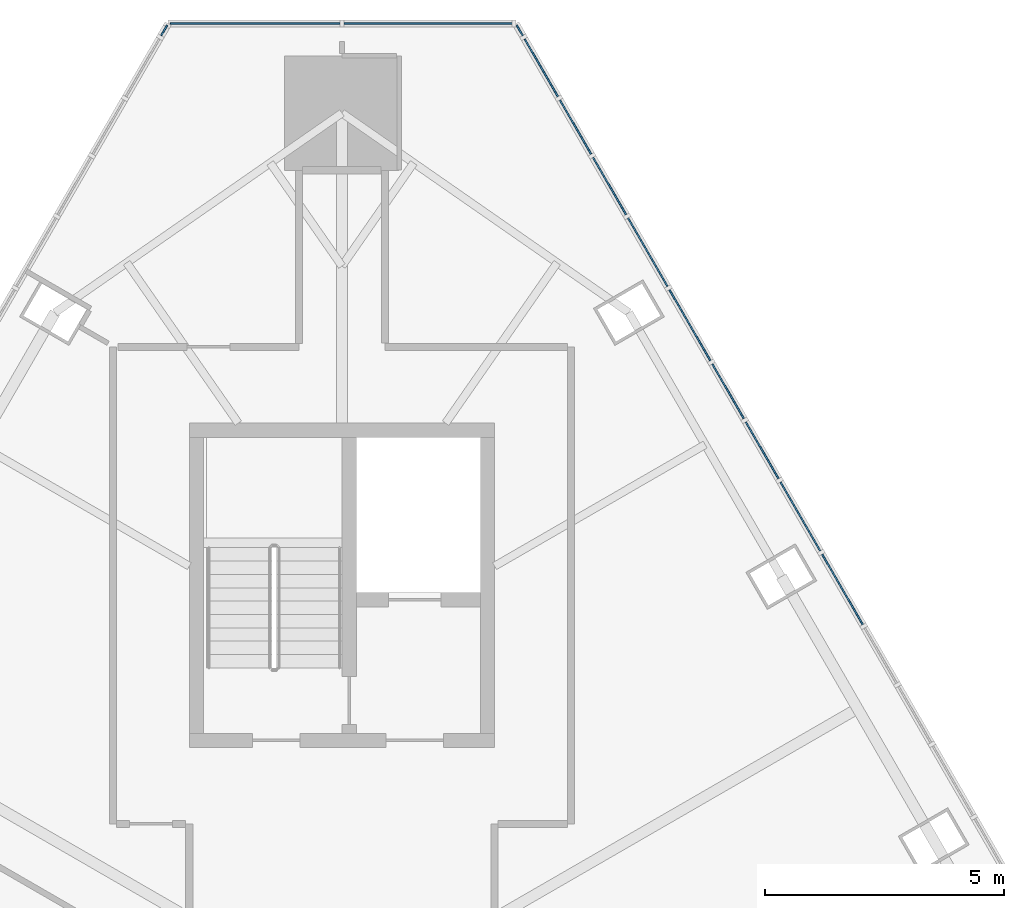
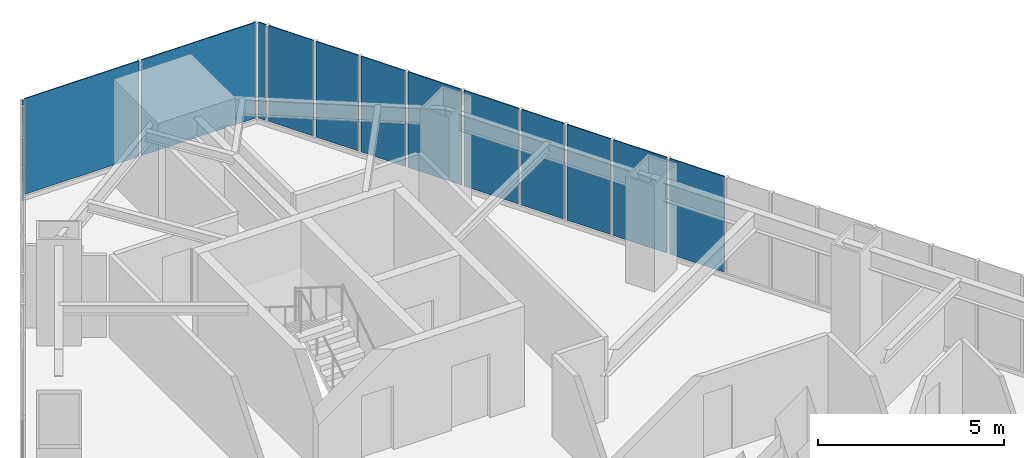
# One storey, part 15 of 21: 13 plates, 3 elements without a shape of their own.
"""IFC4 building model written with IfcOpenShell, lengths in metres."""

from ifc_helpers import new_model, si_unit, direction, frame, origin, place, context, subcontext, project, spatial, polyline, outline, extrude, material, layer, layer_set, type_object, element, aggregate, save


model = new_model("IFC4")

# Units and contexts
model_context = context("Model", 3, precision=1e-05, world=origin(), true_north=direction((0.0, 1.0)))
body_context = subcontext(model_context, "Body", "Model", "MODEL_VIEW")
ifc_project = project(units=[si_unit("LENGTHUNIT", "METRE"), si_unit("AREAUNIT", "SQUARE_METRE"), si_unit("VOLUMEUNIT", "CUBIC_METRE"), si_unit("PLANEANGLEUNIT", "RADIAN"), si_unit("MASSUNIT", "GRAM", prefix="KILO")], contexts=[model_context])

# Site, building, storey
site_placement = place(None, origin())
site = spatial("IfcSite", under=ifc_project, at=site_placement, CompositionType="ELEMENT")
building_placement = place(site_placement, origin())
building = spatial("IfcBuilding", under=site, at=building_placement, Name="Firuza Gate Tower and Library", CompositionType="ELEMENT")
storey_placement = place(building_placement, frame((0.0, 0.0, 284.60009765625)))
storey = spatial("IfcBuildingStorey", under=building, at=storey_placement, Name="L68", CompositionType="ELEMENT", Elevation=284.60009765625)

# Curtain wall, plates
ifc_material_1 = material(Name="Aluminium 6063-T6", Category="aluminium")
ifc_layer_1 = layer(ifc_material_1, 0.14990234375)
ifc_layer_set_1 = layer_set([ifc_layer_1], Name="Corner curtain wall, chamfers")
curtain_wall_type_1 = type_object("IfcCurtainWallType", Name="Corner curtain wall, chamfers", PredefinedType="NOTDEFINED", material=ifc_layer_set_1)
placement = place(storey_placement, origin())
curtain_wall_1 = element("IfcCurtainWall", 1, at=placement, inside=storey, type_object=curtain_wall_type_1, Name="CW4 L68 N corner", PredefinedType="NOTDEFINED")
ifc_material_2 = material(Name="Fritted glass", Category="glass")
ifc_layer_2 = layer(ifc_material_2, 0.030029296875)
ifc_layer_set_2 = layer_set([ifc_layer_2], Name="Fritted glass unit, corners")
plate_type_1 = type_object("IfcPlateType", Name="Fritted glass unit, corners", PredefinedType="CURTAIN_PANEL", material=ifc_layer_set_2)
plate_1_placement = place(storey_placement, frame((78.603271484375, 102.99072265625, 0.14990234375), z_axis=(0.0, 1.0, 0.0), x_axis=(-1.0, 0.0, 0.0)))
plate_1 = element("IfcPlate", 2, at=plate_1_placement, type_object=plate_type_1, Name="Glass unit", PredefinedType="CURTAIN_PANEL", context=body_context, shape_type="SweptSolid", body=[
    extrude(outline(polyline([(0.0, 0.0), (3.563232421875, 0.0), (3.563232421875, 3.14990234375), (0.0, 3.14990234375), (0.0, 0.0)])), origin(), (0.0, 0.0, -1.0), 0.030029296875),
])
plate_2_placement = place(storey_placement, frame((74.9599609375, 102.99072265625, 0.14990234375), z_axis=(0.0, 1.0, 0.0), x_axis=(-1.0, 0.0, 0.0)))
plate_2 = element("IfcPlate", 3, at=plate_2_placement, type_object=plate_type_1, Name="Glass unit", PredefinedType="CURTAIN_PANEL", context=body_context, shape_type="SweptSolid", body=[
    extrude(outline(polyline([(0.0, 0.0), (3.563232421875, 0.0), (3.563232421875, 3.14990234375), (0.0, 3.14990234375), (0.0, 0.0)])), origin(), (0.0, 0.0, -1.0), 0.030029296875),
])
aggregate(curtain_wall_1, [plate_1, plate_2])

ifc_material_3 = material(Name="Aluminium 6063-T6", Category="aluminium")
ifc_layer_3 = layer(ifc_material_3, 0.14990234375)
ifc_layer_set_3 = layer_set([ifc_layer_3], Name="Unitised curtain wall, residences")
curtain_wall_type_2 = type_object("IfcCurtainWallType", Name="Unitised curtain wall, residences", PredefinedType="NOTDEFINED", material=ifc_layer_set_3)
curtain_wall_2 = element("IfcCurtainWall", 4, at=placement, inside=storey, type_object=curtain_wall_type_2, Name="CW3 L68 E face", PredefinedType="NOTDEFINED")
ifc_material_4 = material(Name="Fritted glass", Category="glass")
ifc_layer_4 = layer(ifc_material_4, 0.030029296875)
ifc_layer_set_4 = layer_set([ifc_layer_4], Name="Fritted glass unit, residences")
plate_type_2 = type_object("IfcPlateType", Name="Fritted glass unit, residences", PredefinedType="CURTAIN_PANEL", material=ifc_layer_set_4)
plate_3_placement = place(storey_placement, frame((85.930419921875, 90.384033203125, 0.14990234375), z_axis=(0.865978090465, 0.50008194012, 0.0), x_axis=(-0.50008194012, 0.865978090465, 0.0)))
plate_3 = element("IfcPlate", 5, at=plate_3_placement, type_object=plate_type_2, Name="Glass unit", PredefinedType="CURTAIN_PANEL", context=body_context, shape_type="SweptSolid", body=[
    extrude(outline(polyline([(0.0, 0.0), (1.7047987421734188, 0.0), (1.7047987421734188, 3.14990234375), (0.0, 3.14990234375), (0.0, 0.0)])), origin(), (0.0, 0.0, -1.0), 0.030029296875),
])
plate_4_placement = place(storey_placement, frame((85.0380859375, 91.9296875, 0.14990234375), z_axis=(0.866000314205, 0.500043453909, 0.0), x_axis=(-0.500043453909, 0.866000314205, 0.0)))
plate_4 = element("IfcPlate", 6, at=plate_4_placement, type_object=plate_type_2, Name="Glass unit", PredefinedType="CURTAIN_PANEL", context=body_context, shape_type="SweptSolid", body=[
    extrude(outline(polyline([(0.0, 0.0), (1.6678238030733779, 0.0), (1.6678238030733779, 3.14990234375), (0.0, 3.14990234375), (0.0, 0.0)])), origin(), (0.0, 0.0, -1.0), 0.030029296875),
])
plate_5_placement = place(storey_placement, frame((82.73583984375, 95.917236328125, 0.14990234375), z_axis=(0.866038813064, 0.499976773727, 0.0), x_axis=(-0.499976773727, 0.866038813064, 0.0)))
plate_5 = element("IfcPlate", 7, at=plate_5_placement, type_object=plate_type_2, Name="Glass unit", PredefinedType="CURTAIN_PANEL", context=body_context, shape_type="SweptSolid", body=[
    extrude(outline(polyline([(0.0, 0.0), (1.7173649322227993, 0.0), (1.7173649322227993, 3.14990234375), (0.0, 3.14990234375), (0.0, 0.0)])), origin(), (0.0, 0.0, -1.0), 0.030029296875),
])
plate_6_placement = place(storey_placement, frame((81.837158203125, 97.4736328125, 0.14990234375), z_axis=(0.866075087206, 0.499913935915, 0.0), x_axis=(-0.499913935915, 0.866075087206, 0.0)))
plate_6 = element("IfcPlate", 8, at=plate_6_placement, type_object=plate_type_2, Name="Glass unit", PredefinedType="CURTAIN_PANEL", context=body_context, shape_type="SweptSolid", body=[
    extrude(outline(polyline([(0.0, 0.0), (1.6555584057396513, 0.0), (1.6555584057396513, 3.14990234375), (0.0, 3.14990234375), (0.0, 0.0)])), origin(), (0.0, 0.0, -1.0), 0.030029296875),
])
plate_7_placement = place(storey_placement, frame((79.541015625, 101.45068359375, 0.14990234375), z_axis=(0.865999496279, 0.500044870432, 0.0), x_axis=(-0.500044870432, 0.865999496279, 0.0)))
plate_7 = element("IfcPlate", 9, at=plate_7_placement, type_object=plate_type_2, Name="Glass unit", PredefinedType="CURTAIN_PANEL", context=body_context, shape_type="SweptSolid", body=[
    extrude(outline(polyline([(0.0, 0.0), (1.398312014272141, 0.0), (1.398312014272141, 3.14990234375), (0.0, 3.14990234375), (0.0, 0.0)])), origin(), (0.0, 0.0, -1.0), 0.030029296875),
])
ifc_material_5 = material(Name="Glazed ceramic tile")
ifc_layer_5 = layer(ifc_material_5, 0.030029296875)
ifc_layer_set_5 = layer_set([ifc_layer_5], Name="Opaque ceramic panel, residences")
plate_type_3 = type_object("IfcPlateType", Name="Opaque ceramic panel, residences", PredefinedType="CURTAIN_PANEL", material=ifc_layer_set_5)
plate_8_placement = place(storey_placement, frame((84.1640625, 93.443359375, 0.14990234375), z_axis=(0.866001980287, 0.500040568494, 0.0), x_axis=(-0.500040568494, 0.866001980287, 0.0)))
plate_8 = element("IfcPlate", 10, at=plate_8_placement, type_object=plate_type_3, Name="Opaque ceramic panel", PredefinedType="CURTAIN_PANEL", context=body_context, shape_type="SweptSolid", body=[
    extrude(outline(polyline([(0.0, 0.0), (1.372935479150524, 0.0), (1.372935479150524, 3.14990234375), (0.0, 3.14990234375), (0.0, 0.0)])), origin(), (0.0, 0.0, -1.0), 0.030029296875),
])
plate_9_placement = place(storey_placement, frame((83.4375, 94.70166015625, 0.14990234375), z_axis=(0.866078079006, 0.499908752739, 0.0), x_axis=(-0.499908752739, 0.866078079006, 0.0)))
plate_9 = element("IfcPlate", 11, at=plate_9_placement, type_object=plate_type_3, Name="Opaque ceramic panel", PredefinedType="CURTAIN_PANEL", context=body_context, shape_type="SweptSolid", body=[
    extrude(outline(polyline([(0.0, 0.0), (1.3234837160294044, 0.0), (1.3234837160294044, 3.14990234375), (0.0, 3.14990234375), (0.0, 0.0)])), origin(), (0.0, 0.0, -1.0), 0.030029296875),
])
plate_10_placement = place(storey_placement, frame((80.969482421875, 98.9765625, 0.14990234375), z_axis=(0.866000726912, 0.500042739161, 0.0), x_axis=(-0.500042739161, 0.866000726912, 0.0)))
plate_10 = element("IfcPlate", 12, at=plate_10_placement, type_object=plate_type_3, Name="Opaque ceramic panel", PredefinedType="CURTAIN_PANEL", context=body_context, shape_type="SweptSolid", body=[
    extrude(outline(polyline([(0.0, 0.0), (1.3856237467070587, 0.0), (1.3856237467070587, 3.14990234375), (0.0, 3.14990234375), (0.0, 0.0)])), origin(), (0.0, 0.0, -1.0), 0.030029296875),
])
plate_11_placement = place(storey_placement, frame((80.23681640625, 100.245849609375, 0.14990234375), z_axis=(0.865965422833, 0.500103875667, 0.0), x_axis=(-0.500103875667, 0.865965422833, 0.0)))
plate_11 = element("IfcPlate", 13, at=plate_11_placement, type_object=plate_type_3, Name="Opaque ceramic panel", PredefinedType="CURTAIN_PANEL", context=body_context, shape_type="SweptSolid", body=[
    extrude(outline(polyline([(0.0, 0.0), (1.3112510233494172, 0.0), (1.3112510233494172, 3.14990234375), (0.0, 3.14990234375), (0.0, 0.0)])), origin(), (0.0, 0.0, -1.0), 0.030029296875),
])
plate_12_placement = place(storey_placement, frame((78.802001953125, 102.73095703125, 0.14990234375), z_axis=(0.865780878536, 0.500423291185, 0.0), x_axis=(-0.500423291185, 0.865780878536, 0.0)))
plate_12 = element("IfcPlate", 14, at=plate_12_placement, type_object=plate_type_3, Name="Opaque ceramic panel", PredefinedType="CURTAIN_PANEL", context=body_context, shape_type="SweptSolid", body=[
    extrude(outline(polyline([(0.0, 0.0), (0.2512521381192305, 0.0), (0.2512521381192305, 3.14990234375), (0.0, 3.14990234375), (0.0, 0.0)])), origin(), (0.0, 0.0, -1.0), 0.030029296875),
])
aggregate(curtain_wall_2, [plate_3, plate_4, plate_8, plate_9, plate_5, plate_6, plate_10, plate_11, plate_7, plate_12])

# Curtain wall, plate
curtain_wall_3 = element("IfcCurtainWall", 15, at=placement, inside=storey, type_object=curtain_wall_type_2, Name="CW3 L68 W face", PredefinedType="NOTDEFINED")
plate_13_placement = place(storey_placement, frame((71.32373046875, 102.948486328125, 0.14990234375), z_axis=(-0.865780878536, 0.500423291185, 0.0), x_axis=(-0.500423291185, -0.865780878536, 0.0)))
plate_13 = element("IfcPlate", 16, at=plate_13_placement, type_object=plate_type_3, Name="Opaque ceramic panel", PredefinedType="CURTAIN_PANEL", context=body_context, shape_type="SweptSolid", body=[
    extrude(outline(polyline([(0.0, 0.0), (0.2512521381192305, 0.0), (0.2512521381192305, 3.14990234375), (0.0, 3.14990234375), (0.0, 0.0)])), origin(), (0.0, 0.0, -1.0), 0.030029296875),
])
aggregate(curtain_wall_3, [plate_13])

save(model, "model.ifc")
